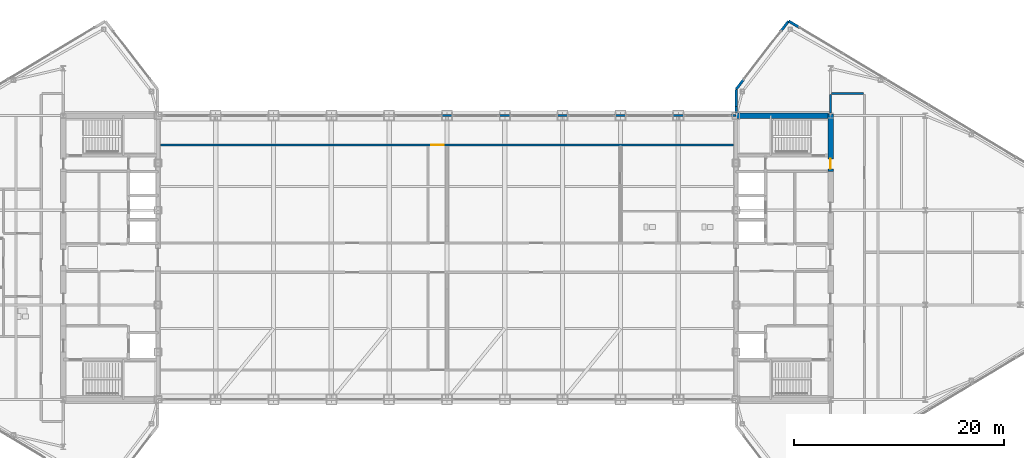
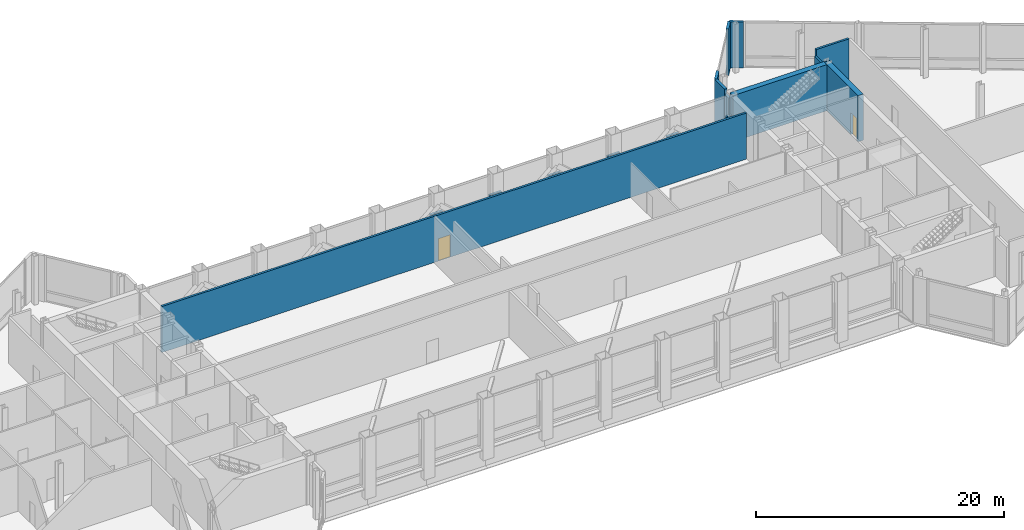
# One storey, part 26 of 29: 16 walls, 2 doors, 2 openings.
"""IFC4 building model written with IfcOpenShell, lengths in metres."""

from ifc_helpers import new_model, si_unit, direction, frame, frame_2d, origin, place, context, subcontext, project, spatial, rectangle, extrude, source, transform, mapped, material, layer, layer_set, type_object, type_shapes, element, fill, save


model = new_model("IFC4")

# Units and contexts
model_context = context("Model", 3, precision=1e-05, world=origin(), true_north=direction((0.0, 1.0)))
body_context = subcontext(model_context, "Body", "Model", "MODEL_VIEW")
ifc_project = project(units=[si_unit("LENGTHUNIT", "METRE"), si_unit("AREAUNIT", "SQUARE_METRE"), si_unit("VOLUMEUNIT", "CUBIC_METRE"), si_unit("PLANEANGLEUNIT", "RADIAN"), si_unit("MASSUNIT", "GRAM", prefix="KILO")], contexts=[model_context])

# Site, building, storey
site_placement = place(None, origin())
site = spatial("IfcSite", under=ifc_project, at=site_placement, CompositionType="ELEMENT")
building_placement = place(site_placement, origin())
building = spatial("IfcBuilding", under=site, at=building_placement, Name="Seokmaru Belvedere", CompositionType="ELEMENT")
storey_placement = place(building_placement, frame((0.0, 0.0, 229.800048828125)))
storey = spatial("IfcBuildingStorey", under=building, at=storey_placement, Name="L61", CompositionType="ELEMENT", Elevation=229.800048828125)

# Walls
ifc_material_1 = material(Name="Anodised Bronze Aluminium", Category="aluminium")
ifc_layer_1 = layer(ifc_material_1, 0.2099609375)
ifc_layer_set_1 = layer_set([ifc_layer_1], Name="Anodised Bronze Aluminium")
wall_type_1 = type_object("IfcWallType", Name="Bridge Column Spandrel Closure Pier 210", PredefinedType="SOLIDWALL", material=ifc_layer_set_1)
for number, where, z_axis, x_axis, name in (
    (1, (-0.550048828125, 13.5, 0.0), (0.0, 0.0, 1.0), (1.0, 0.0, 0.0), "L61 Bridge North Column Closure Pier 06"),
    (2, (4.949951171875, 13.5, 0.0), (0.0, 0.0, 1.0), (1.0, 0.0, 0.0), "L61 Bridge North Column Closure Pier 07"),
    (3, (10.449951171875, 13.5, 0.0), (0.0, 0.0, 1.0), (1.0, 0.0, 0.0), "L61 Bridge North Column Closure Pier 08"),
    (4, (15.949951171875, 13.5, 0.0), (0.0, 0.0, 1.0), (1.0, 0.0, 0.0), "L61 Bridge North Column Closure Pier 09"),
    (5, (21.449951171875, 13.5, 0.0), (0.0, 0.0, 1.0), (1.0, 0.0, 0.0), "L61 Bridge North Column Closure Pier 10"),
):
    element("IfcWall", number, at=place(storey_placement, frame(where, z_axis=z_axis, x_axis=x_axis)), inside=storey, type_object=wall_type_1, Name=name, PredefinedType="SOLIDWALL", context=body_context, shape_type="SweptSolid", body=[
        extrude(rectangle(XDim=1.10009765625, YDim=0.2099609375, at=frame_2d((0.550048828125, 0.0))), origin(), (0.0, 0.0, 1.0), 2.5400390625),
    ])
wall_1_placement = place(storey_placement, frame((26.949951171875, 13.5, 0.0), z_axis=(0.0, 0.0, 1.0), x_axis=(1.0, 0.0, 0.0)))
element("IfcWall", 6, at=wall_1_placement, inside=storey, type_object=wall_type_1, Name="L61 Bridge North Column Closure Pier 11", PredefinedType="SOLIDWALL", context=body_context, shape_type="SweptSolid", body=[
    extrude(rectangle(XDim=0.5400390625, YDim=0.2099609375, at=frame_2d((0.27001953125, 0.0))), origin(), (0.0, 0.0, 1.0), 2.5400390625),
])

# Wall, opening, door
ifc_material_2 = material(Name="Fire-Rated Gypsum Shaftwall")
ifc_layer_2 = layer(ifc_material_2, 0.199951171875)
ifc_layer_set_2 = layer_set([ifc_layer_2], Name="Fire-Rated Gypsum Shaftwall")
wall_type_2 = type_object("IfcWallType", Name="Inter-Tenancy Fire Compartment Partition 200", PredefinedType="PARTITIONING", material=ifc_layer_set_2)
wall_2_placement = place(storey_placement, frame((-27.2451171875, 10.699951171875, 0.0), z_axis=(0.0, 0.0, 1.0), x_axis=(1.0, 0.0, 0.0)))
wall_2 = element("IfcWall", 7, at=wall_2_placement, inside=storey, type_object=wall_type_2, Name="L61 Interior Partition 014", PredefinedType="PARTITIONING", context=body_context, shape_type="SweptSolid", body=[
    extrude(rectangle(XDim=54.490234375, YDim=0.199951171875, at=frame_2d((27.2451171875, 0.0))), origin(), (0.0, 0.0, 1.0), 4.5400390625),
])
opening_1_placement = place(wall_2_placement, frame((25.77001953125, 0.0, 0.0)))
opening_1 = element("IfcOpeningElement", 8, at=opening_1_placement, cuts=wall_2, Name="Opening D02", PredefinedType="OPENING", context=body_context, shape_type="SweptSolid", body=[
    extrude(rectangle(XDim=1.14990234375, YDim=2.199951171875, at=frame_2d((0.574951171875, 1.10009765625))), frame((0.0, 0.10986328125, 0.0), z_axis=(0.0, -1.0, 0.0), x_axis=(1.0, 0.0, 0.0)), (0.0, 0.0, 1.0), 0.219970703125),
])
ifc_material_3 = material(Name="Fire-Rated Steel Leaf", Category="steel")
door_type_1 = type_object("IfcDoorType", Name="Lobby and Vestibule Fire Door 1150x2200", OperationType="NOTDEFINED", PredefinedType="DOOR", material=ifc_material_3)
shared_shape_1 = source(origin(), body_context, "Body", "SweptSolid", [
    extrude(rectangle(XDim=1.14990234375, YDim=2.199951171875, at=frame_2d((0.574951171875, 1.10009765625))), frame((0.0, 0.02490234375, 0.0), z_axis=(0.0, -1.0, 0.0), x_axis=(1.0, 0.0, 0.0)), (0.0, 0.0, 1.0), 0.050048828125),
])
type_shapes(door_type_1, [shared_shape_1])
door_1_placement = place(opening_1_placement, origin())
door_1 = element("IfcDoor", 9, at=door_1_placement, inside=storey, type_object=door_type_1, Name="L61 Interior Door 021", OperationType="SINGLE_SWING_RIGHT", OverallHeight=2.199951171875, OverallWidth=1.14990234375, PredefinedType="DOOR", context=body_context, shape_type="MappedRepresentation", body=[
    mapped(shared_shape_1, transform((0.0, 0.0, 0.0), scale=1.0)),
])
fill(opening_1, door_1)

# Walls
wall_3_placement = place(storey_placement, frame((36.5849609375, 15.60009765625, 0.0), z_axis=(0.0, 0.0, 1.0), x_axis=(1.0, 0.0, 0.0)))
element("IfcWall", 10, at=wall_3_placement, inside=storey, type_object=wall_type_2, Name="L61 Interior Partition 016", PredefinedType="PARTITIONING", context=body_context, shape_type="SweptSolid", body=[
    extrude(rectangle(XDim=3.030029296875, YDim=0.199951171875, at=frame_2d((1.51513671875, 0.0))), origin(), (0.0, 0.0, 1.0), 4.5400390625),
])
wall_4_placement = place(storey_placement, frame((36.5, 13.7548828125, 0.0), z_axis=(0.0, 0.0, 1.0), x_axis=(0.0, 1.0, 0.0)))
element("IfcWall", 11, at=wall_4_placement, inside=storey, type_object=wall_type_2, Name="L61 Interior Partition 032", PredefinedType="PARTITIONING", context=body_context, shape_type="SweptSolid", body=[
    extrude(rectangle(XDim=1.760009765625, YDim=0.199951171875, at=frame_2d((0.8798828125, 0.0))), origin(), (0.0, 0.0, 1.0), 3.93994140625),
])
ifc_layer_3 = layer(ifc_material_1, 0.239990234375)
ifc_layer_set_3 = layer_set([ifc_layer_3], Name="Anodised Bronze Aluminium")
wall_type_3 = type_object("IfcWallType", Name="Tower Corner Spandrel Closure Wall 240", PredefinedType="SOLIDWALL", material=ifc_layer_set_3)
for number, where, z_axis, x_axis, name in (
    (12, (33.486083984375, 21.908203125, 0.0), (0.0, 0.0, 1.0), (-0.85743623509, 0.514590228002, 0.0), "L61 E Corner Closure Pier 3B"),
    (13, (32.493896484375, 22.4921875, 0.0), (0.0, 0.0, 1.0), (-0.609617623633, -0.792695624408, 0.0), "L61 E Corner Closure Pier 4A"),
    (14, (28.201171875, 16.91162109375, 0.0), (0.0, 0.0, 1.0), (-0.609617623633, -0.792695624408, 0.0), "L61 E Corner Closure Pier 4B"),
):
    element("IfcWall", number, at=place(storey_placement, frame(where, z_axis=z_axis, x_axis=x_axis)), inside=storey, type_object=wall_type_3, Name=name, PredefinedType="SOLIDWALL", context=body_context, shape_type="SweptSolid", body=[
        extrude(rectangle(XDim=1.14013671875, YDim=0.239990234375, at=frame_2d((0.570068359375, 0.0))), origin(), (0.0, 0.0, 1.0), 4.5400390625),
    ])
wall_5_placement = place(storey_placement, frame((27.5, 13.7548828125, 0.0), z_axis=(0.0, 0.0, 1.0), x_axis=(0.0, 1.0, 0.0)))
element("IfcWall", 15, at=wall_5_placement, inside=storey, type_object=wall_type_3, Name="L61 E Shoulder Closure Wall 2", PredefinedType="SOLIDWALL", context=body_context, shape_type="SweptSolid", body=[
    extrude(rectangle(XDim=0.619873046875, YDim=0.239990234375, at=frame_2d((0.31005859375, 0.0))), origin(), (0.0, 0.0, 1.0), 4.0400390625),
])
wall_6_placement = place(storey_placement, frame((27.5, 14.374755859375, 0.0), z_axis=(0.0, 0.0, 1.0), x_axis=(0.0, 1.0, 0.0)))
element("IfcWall", 16, at=wall_6_placement, inside=storey, type_object=wall_type_3, Name="L61 E Shoulder Closure Wall 2 Part 2", PredefinedType="SOLIDWALL", context=body_context, shape_type="SweptSolid", body=[
    extrude(rectangle(XDim=1.605224609375, YDim=0.239990234375, at=frame_2d((0.802734375, 0.0))), origin(), (0.0, 0.0, 1.0), 4.5400390625),
])
ifc_material_4 = material(Name="Concrete C50 (50 MPa)", Category="concrete")
ifc_layer_4 = layer(ifc_material_4, 0.5)
ifc_layer_set_4 = layer_set([ifc_layer_4], Name="Concrete C50 (50 MPa)")
wall_type_4 = type_object("IfcWallType", Name="Upper Tower Reinforced Concrete Core Wall 500", PredefinedType="SHEAR", material=ifc_layer_set_4)
wall_7_placement = place(storey_placement, frame((27.5, 13.5, 0.0), z_axis=(0.0, 0.0, 1.0), x_axis=(1.0, 0.0, 0.0)))
element("IfcWall", 17, at=wall_7_placement, inside=storey, type_object=wall_type_4, Name="L61 East North Core Wall", PredefinedType="SHEAR", context=body_context, shape_type="SweptSolid", body=[
    extrude(rectangle(XDim=9.0, YDim=0.5, at=frame_2d((4.5, 0.0))), origin(), (0.0, 0.0, 1.0), 4.5400390625),
])

# Wall, opening, door
wall_8_placement = place(storey_placement, frame((36.5, 8.199951171875, 0.0), z_axis=(0.0, 0.0, 1.0), x_axis=(0.0, 1.0, 0.0)))
wall_8 = element("IfcWall", 18, at=wall_8_placement, inside=storey, type_object=wall_type_4, Name="L61 East West Core Wall VST", PredefinedType="SHEAR", context=body_context, shape_type="SweptSolid", body=[
    extrude(rectangle(XDim=5.449951171875, YDim=0.5, at=frame_2d((2.72509765625, 0.0))), origin(), (0.0, 0.0, 1.0), 4.5400390625),
])
opening_2_placement = place(wall_8_placement, frame((0.2451171875, 0.0, 0.0)))
opening_2 = element("IfcOpeningElement", 19, at=opening_2_placement, cuts=wall_8, Name="Opening D04", PredefinedType="OPENING", context=body_context, shape_type="SweptSolid", body=[
    extrude(rectangle(XDim=0.949951171875, YDim=2.14990234375, at=frame_2d((0.47509765625, 1.074951171875))), frame((0.0, 0.260009765625, 0.0), z_axis=(0.0, -1.0, 0.0), x_axis=(1.0, 0.0, 0.0)), (0.0, 0.0, 1.0), 0.52001953125),
])
door_type_2 = type_object("IfcDoorType", Name="Core Service Room Fire Door 950x2150", OperationType="NOTDEFINED", PredefinedType="DOOR", material=ifc_material_3)
shared_shape_2 = source(origin(), body_context, "Body", "SweptSolid", [
    extrude(rectangle(XDim=0.949951171875, YDim=2.14990234375, at=frame_2d((0.47509765625, 1.074951171875))), frame((0.0, 0.02490234375, 0.0), z_axis=(0.0, -1.0, 0.0), x_axis=(1.0, 0.0, 0.0)), (0.0, 0.0, 1.0), 0.050048828125),
])
type_shapes(door_type_2, [shared_shape_2])
door_2_placement = place(opening_2_placement, origin())
door_2 = element("IfcDoor", 20, at=door_2_placement, inside=storey, type_object=door_type_2, Name="L61 East Smokeproof Vestibule Door", OperationType="SINGLE_SWING_LEFT", OverallHeight=2.14990234375, OverallWidth=0.949951171875, PredefinedType="DOOR", context=body_context, shape_type="MappedRepresentation", body=[
    mapped(shared_shape_2, transform((0.0, 0.0, 0.0), scale=1.0)),
])
fill(opening_2, door_2)

save(model, "model.ifc")
